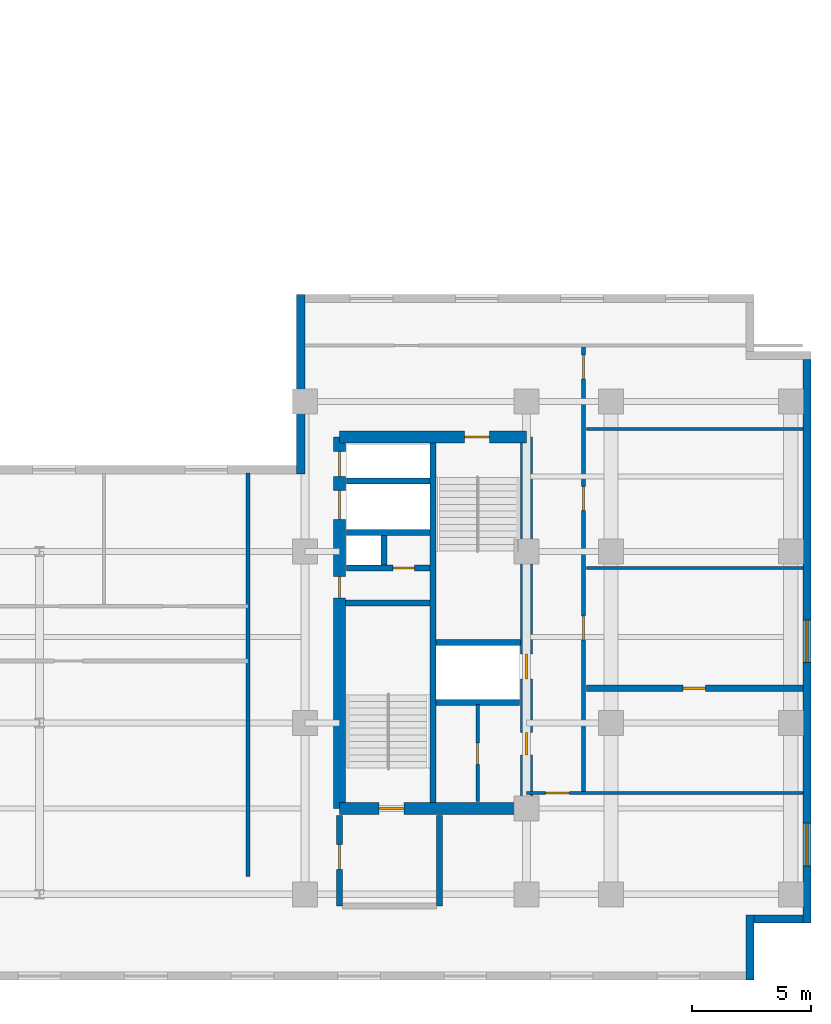
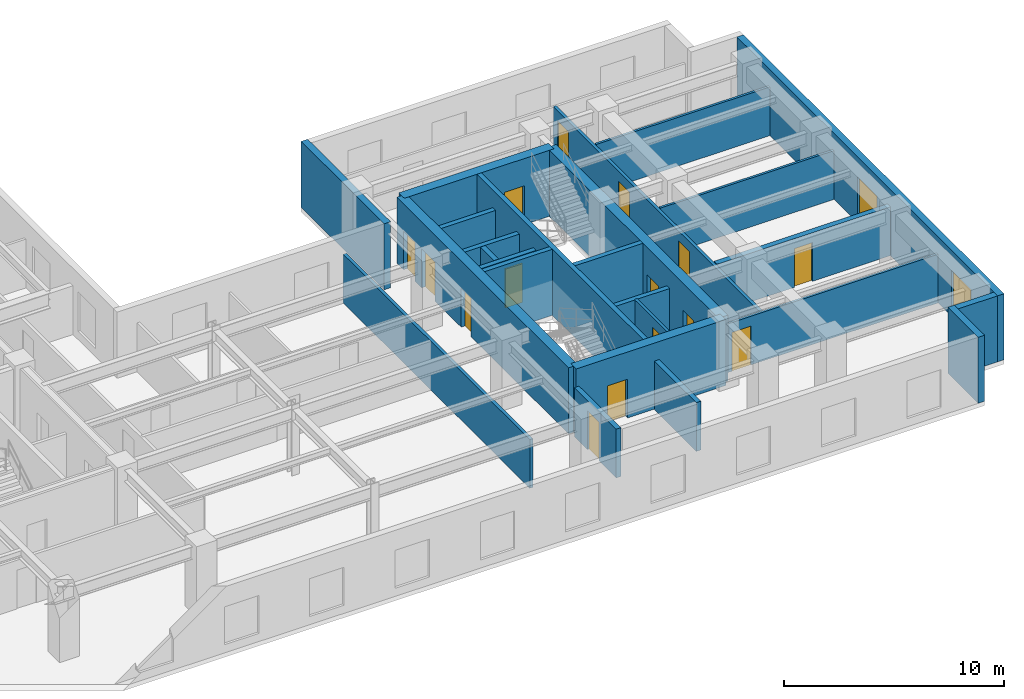
# One storey, part 5 of 10: 25 walls, 15 doors, 2 windows, 17 openings.
"""IFC4 building model written with IfcOpenShell, lengths in metres."""

from ifc_helpers import new_model, entity, si_unit, converted_unit, direction, frame, origin_with_axes, origin_2d_with_axis, place, context, subcontext, project, spatial, polyline, rectangle, outline, extrude, material, layer, layer_set, type_object, element, fill, save


model = new_model("IFC4")

# Units and contexts
model_context = context("Model", 3, precision=1e-05, world=origin_with_axes(), true_north=direction((0.0, 1.0)))
body_context = subcontext(model_context, "Body", "Model", "MODEL_VIEW")
ifc_project = project(units=[si_unit("LENGTHUNIT", "METRE"), si_unit("AREAUNIT", "SQUARE_METRE"), si_unit("VOLUMEUNIT", "CUBIC_METRE"), converted_unit("PLANEANGLEUNIT", "DEGREE", entity("IfcPlaneAngleMeasure", 0.017453292519943295), si_unit("PLANEANGLEUNIT", "RADIAN"), dimensions=[0, 0, 0, 0, 0, 0, 0]), si_unit("MASSUNIT", "GRAM", prefix="KILO"), si_unit("THERMODYNAMICTEMPERATUREUNIT", "KELVIN")], contexts=[model_context])

# Site, building, storey
site_placement = place(None, origin_with_axes())
site = spatial("IfcSite", under=ifc_project, at=site_placement, CompositionType="ELEMENT")
building_placement = place(site_placement, origin_with_axes())
building = spatial("IfcBuilding", under=site, at=building_placement, Name="Varnlund Millrace Tower", CompositionType="ELEMENT")
storey_placement = place(building_placement, frame((0.0, 0.0, 171.9), z_axis=(0.0, 0.0, 1.0), x_axis=(1.0, 0.0, 0.0)))
storey = spatial("IfcBuildingStorey", under=building, at=storey_placement, Name="L42", CompositionType="ELEMENT", Elevation=171.9)

# Wall, openings, doors
ifc_material_1 = material(Name="Concrete C70/85", Category="concrete")
ifc_layer_1 = layer(ifc_material_1, 0.5, Name="Concrete C70/85")
ifc_layer_set_1 = layer_set([ifc_layer_1], Name="Concrete C70/85")
wall_type_1 = type_object("IfcWallType", Name="Type-CoreWall-Shear-500-C70", PredefinedType="SHEAR", material=ifc_layer_set_1)
wall_1_placement = place(storey_placement, frame((40.2, 7.2, 0.0), z_axis=(0.0, 0.0, 1.0), x_axis=(0.0, 1.0, 0.0)))
wall_1 = element("IfcWall", 1, at=wall_1_placement, inside=storey, type_object=wall_type_1, Name="Type-CoreWall-Shear-500-C70", PredefinedType="SHEAR", context=body_context, shape_type="SweptSolid", body=[
    extrude(outline(polyline([(0.0, -0.25), (15.6, -0.25), (15.6, 0.25), (0.0, 0.25), (0.0, -0.25)])), origin_with_axes(), (0.0, 0.0, 1.0), 3.66),
])
opening_1_placement = place(wall_1_placement, frame((14.475, 0.0, 0.0), z_axis=(0.0, 0.0, 1.0), x_axis=(1.0, 0.0, 0.0)))
opening_1 = element("IfcOpeningElement", 2, at=opening_1_placement, cuts=wall_1, Name="Opening L42:LD-ELV-M4", PredefinedType="OPENING", context=body_context, shape_type="SweptSolid", body=[
    extrude(rectangle(XDim=1.05, YDim=0.52, at=origin_2d_with_axis()), origin_with_axes(), (0.0, 0.0, 1.0), 2.15),
])
opening_2_placement = place(wall_1_placement, frame((12.75, 0.0, 0.0), z_axis=(0.0, 0.0, 1.0), x_axis=(1.0, 0.0, 0.0)))
opening_2 = element("IfcOpeningElement", 3, at=opening_2_placement, cuts=wall_1, Name="Opening L42:LD-SRV2", PredefinedType="OPENING", context=body_context, shape_type="SweptSolid", body=[
    extrude(rectangle(XDim=1.2, YDim=0.52, at=origin_2d_with_axis()), origin_with_axes(), (0.0, 0.0, 1.0), 2.15),
])
opening_3_placement = place(wall_1_placement, frame((9.3, 0.0, 0.0), z_axis=(0.0, 0.0, 1.0), x_axis=(1.0, 0.0, 0.0)))
opening_3 = element("IfcOpeningElement", 4, at=opening_3_placement, cuts=wall_1, Name="Opening L42:DR-CB-JAN", PredefinedType="OPENING", context=body_context, shape_type="SweptSolid", body=[
    extrude(rectangle(XDim=0.9, YDim=0.52, at=origin_2d_with_axis()), origin_with_axes(), (0.0, 0.0, 1.0), 2.15),
])
ifc_material_2 = material(Name="Fire-rated hollow steel service closet door", Category="steel")
door_type_1 = type_object("IfcDoorType", Name="Type-FireDoor-Closet-900X2150", OperationType="NOTDEFINED", PredefinedType="DOOR", material=ifc_material_2)
door_1_placement = place(wall_1_placement, frame((9.3, 0.0, 0.0), z_axis=(0.0, 0.0, 1.0), x_axis=(1.0, 0.0, 0.0)))
door_1 = element("IfcDoor", 5, at=door_1_placement, inside=storey, type_object=door_type_1, Name="Type-FireDoor-Closet-900X2150", OperationType="SINGLE_SWING_RIGHT", OverallHeight=2.15, OverallWidth=0.9, PredefinedType="DOOR", context=body_context, shape_type="SweptSolid", body=[
    extrude(rectangle(XDim=0.9, YDim=0.09, at=origin_2d_with_axis()), origin_with_axes(), (0.0, 0.0, 1.0), 2.15),
])
fill(opening_3, door_1)
ifc_material_3 = material(Name="Architectural bronze sliding landing door")
door_type_2 = type_object("IfcDoorType", Name="Type-LiftLandingDoor-Compact-1050X2150", OperationType="NOTDEFINED", PredefinedType="DOOR", material=ifc_material_3)
door_2_placement = place(wall_1_placement, frame((14.475, 0.0, 0.0), z_axis=(0.0, 0.0, 1.0), x_axis=(1.0, 0.0, 0.0)))
door_2 = element("IfcDoor", 6, at=door_2_placement, inside=storey, type_object=door_type_2, Name="Type-LiftLandingDoor-Compact-1050X2150", OperationType="SLIDING_TO_RIGHT", OverallHeight=2.15, OverallWidth=1.05, PredefinedType="DOOR", context=body_context, shape_type="SweptSolid", body=[
    extrude(rectangle(XDim=1.05, YDim=0.09, at=origin_2d_with_axis()), origin_with_axes(), (0.0, 0.0, 1.0), 2.15),
])
fill(opening_1, door_2)
ifc_material_4 = material(Name="Heavy-duty freight sliding landing door")
door_type_3 = type_object("IfcDoorType", Name="Type-LiftLandingDoor-Service-1200X2150", OperationType="NOTDEFINED", PredefinedType="DOOR", material=ifc_material_4)
door_3_placement = place(wall_1_placement, frame((12.75, 0.0, 0.0), z_axis=(0.0, 0.0, 1.0), x_axis=(1.0, 0.0, 0.0)))
door_3 = element("IfcDoor", 7, at=door_3_placement, inside=storey, type_object=door_type_3, Name="Type-LiftLandingDoor-Service-1200X2150", OperationType="DOUBLE_DOOR_SLIDING", OverallHeight=2.15, OverallWidth=1.2, PredefinedType="DOOR", context=body_context, shape_type="SweptSolid", body=[
    extrude(rectangle(XDim=1.2, YDim=0.09, at=origin_2d_with_axis()), origin_with_axes(), (0.0, 0.0, 1.0), 2.15),
])
fill(opening_2, door_3)

# Wall, opening, door
wall_2_placement = place(storey_placement, frame((40.2, 7.2, 0.0), z_axis=(0.0, 0.0, 1.0), x_axis=(1.0, 0.0, 0.0)))
wall_2 = element("IfcWall", 8, at=wall_2_placement, inside=storey, type_object=wall_type_1, Name="Type-CoreWall-Shear-500-C70", PredefinedType="SHEAR", context=body_context, shape_type="SweptSolid", body=[
    extrude(outline(polyline([(0.0, -0.25), (7.85, -0.25), (7.85, 0.25), (0.0, 0.25), (0.0, -0.25)])), origin_with_axes(), (0.0, 0.0, 1.0), 3.66),
])
opening_4_placement = place(wall_2_placement, frame((2.175, 0.0, 0.0), z_axis=(0.0, 0.0, 1.0), x_axis=(1.0, 0.0, 0.0)))
opening_4 = element("IfcOpeningElement", 9, at=opening_4_placement, cuts=wall_2, Name="Opening L42:DR-STB1", PredefinedType="OPENING", context=body_context, shape_type="SweptSolid", body=[
    extrude(rectangle(XDim=1.05, YDim=0.52, at=origin_2d_with_axis()), origin_with_axes(), (0.0, 0.0, 1.0), 2.15),
])
ifc_material_5 = material(Name="Fire-rated hollow steel door", Category="steel")
door_type_4 = type_object("IfcDoorType", Name="Type-FireDoor-Stair-1050X2150", OperationType="NOTDEFINED", PredefinedType="DOOR", material=ifc_material_5)
door_4_placement = place(wall_2_placement, frame((2.175, 0.0, 0.0), z_axis=(0.0, 0.0, 1.0), x_axis=(1.0, 0.0, 0.0)))
door_4 = element("IfcDoor", 10, at=door_4_placement, inside=storey, type_object=door_type_4, Name="Type-FireDoor-Stair-1050X2150", OperationType="SINGLE_SWING_LEFT", OverallHeight=2.15, OverallWidth=1.05, PredefinedType="DOOR", context=body_context, shape_type="SweptSolid", body=[
    extrude(rectangle(XDim=1.05, YDim=0.09, at=origin_2d_with_axis()), origin_with_axes(), (0.0, 0.0, 1.0), 2.15),
])
fill(opening_4, door_4)

wall_3_placement = place(storey_placement, frame((40.2, 22.8, 0.0), z_axis=(0.0, 0.0, 1.0), x_axis=(1.0, 0.0, 0.0)))
wall_3 = element("IfcWall", 11, at=wall_3_placement, inside=storey, type_object=wall_type_1, Name="Type-CoreWall-Shear-500-C70", PredefinedType="SHEAR", context=body_context, shape_type="SweptSolid", body=[
    extrude(outline(polyline([(0.0, -0.25), (7.85, -0.25), (7.85, 0.25), (0.0, 0.25), (0.0, -0.25)])), origin_with_axes(), (0.0, 0.0, 1.0), 3.66),
])
opening_5_placement = place(wall_3_placement, frame((5.775, 0.0, 0.0), z_axis=(0.0, 0.0, 1.0), x_axis=(1.0, 0.0, 0.0)))
opening_5 = element("IfcOpeningElement", 12, at=opening_5_placement, cuts=wall_3, Name="Opening L42:DR-STB2", PredefinedType="OPENING", context=body_context, shape_type="SweptSolid", body=[
    extrude(rectangle(XDim=1.05, YDim=0.52, at=origin_2d_with_axis()), origin_with_axes(), (0.0, 0.0, 1.0), 2.15),
])
door_5_placement = place(wall_3_placement, frame((5.775, 0.0, 0.0), z_axis=(0.0, 0.0, 1.0), x_axis=(1.0, 0.0, 0.0)))
door_5 = element("IfcDoor", 13, at=door_5_placement, inside=storey, type_object=door_type_4, Name="Type-FireDoor-Stair-1050X2150", OperationType="SINGLE_SWING_RIGHT", OverallHeight=2.15, OverallWidth=1.05, PredefinedType="DOOR", context=body_context, shape_type="SweptSolid", body=[
    extrude(rectangle(XDim=1.05, YDim=0.09, at=origin_2d_with_axis()), origin_with_axes(), (0.0, 0.0, 1.0), 2.15),
])
fill(opening_5, door_5)

# Wall, openings, doors
wall_4_placement = place(storey_placement, frame((48.05, 7.2, 0.0), z_axis=(0.0, 0.0, 1.0), x_axis=(0.0, 1.0, 0.0)))
wall_4 = element("IfcWall", 14, at=wall_4_placement, inside=storey, type_object=wall_type_1, Name="Type-CoreWall-Shear-500-C70", PredefinedType="SHEAR", context=body_context, shape_type="SweptSolid", body=[
    extrude(outline(polyline([(0.0, -0.25), (15.6, -0.25), (15.6, 0.25), (0.0, 0.25), (0.0, -0.25)])), origin_with_axes(), (0.0, 0.0, 1.0), 3.66),
])
opening_6_placement = place(wall_4_placement, frame((5.975, 0.0, 0.0), z_axis=(0.0, 0.0, 1.0), x_axis=(1.0, 0.0, 0.0)))
opening_6 = element("IfcOpeningElement", 15, at=opening_6_placement, cuts=wall_4, Name="Opening L42:LD-ELV-M3", PredefinedType="OPENING", context=body_context, shape_type="SweptSolid", body=[
    extrude(rectangle(XDim=1.05, YDim=0.52, at=origin_2d_with_axis()), origin_with_axes(), (0.0, 0.0, 1.0), 2.15),
])
opening_7_placement = place(wall_4_placement, frame((2.725, 0.0, 0.0), z_axis=(0.0, 0.0, 1.0), x_axis=(1.0, 0.0, 0.0)))
opening_7 = element("IfcOpeningElement", 16, at=opening_7_placement, cuts=wall_4, Name="Opening L42:DR-CB-WC2", PredefinedType="OPENING", context=body_context, shape_type="SweptSolid", body=[
    extrude(rectangle(XDim=0.95, YDim=0.52, at=origin_2d_with_axis()), origin_with_axes(), (0.0, 0.0, 1.0), 2.15),
])
ifc_material_6 = material(Name="Fire-rated hollow steel core service door", Category="steel")
door_type_5 = type_object("IfcDoorType", Name="Type-FireDoor-Service-950X2150", OperationType="NOTDEFINED", PredefinedType="DOOR", material=ifc_material_6)
door_6_placement = place(wall_4_placement, frame((2.725, 0.0, 0.0), z_axis=(0.0, 0.0, 1.0), x_axis=(1.0, 0.0, 0.0)))
door_6 = element("IfcDoor", 17, at=door_6_placement, inside=storey, type_object=door_type_5, Name="Type-FireDoor-Service-950X2150", OperationType="SINGLE_SWING_LEFT", OverallHeight=2.15, OverallWidth=0.95, PredefinedType="DOOR", context=body_context, shape_type="SweptSolid", body=[
    extrude(rectangle(XDim=0.95, YDim=0.09, at=origin_2d_with_axis()), origin_with_axes(), (0.0, 0.0, 1.0), 2.15),
])
fill(opening_7, door_6)
door_7_placement = place(wall_4_placement, frame((5.975, 0.0, 0.0), z_axis=(0.0, 0.0, 1.0), x_axis=(1.0, 0.0, 0.0)))
door_7 = element("IfcDoor", 18, at=door_7_placement, inside=storey, type_object=door_type_2, Name="Type-LiftLandingDoor-Compact-1050X2150", OperationType="SLIDING_TO_LEFT", OverallHeight=2.15, OverallWidth=1.05, PredefinedType="DOOR", context=body_context, shape_type="SweptSolid", body=[
    extrude(rectangle(XDim=1.05, YDim=0.09, at=origin_2d_with_axis()), origin_with_axes(), (0.0, 0.0, 1.0), 2.15),
])
fill(opening_6, door_7)

# Wall
ifc_material_7 = material(Name="Precast concrete C50/60", Category="concrete")
ifc_layer_2 = layer(ifc_material_7, 0.34, Name="Precast concrete C50/60")
ifc_layer_set_2 = layer_set([ifc_layer_2], Name="Precast concrete C50/60")
wall_type_2 = type_object("IfcWallType", Name="Type-ExtWall-Precast-Upper-340", PredefinedType="SOLIDWALL", material=ifc_layer_set_2)
wall_5_placement = place(storey_placement, frame((38.57, 21.26, 0.0), z_axis=(0.0, 0.0, 1.0), x_axis=(0.0, 1.0, 0.0)))
element("IfcWall", 19, at=wall_5_placement, inside=storey, type_object=wall_type_2, Name="Type-ExtWall-Precast-Upper-340", PredefinedType="SOLIDWALL", context=body_context, shape_type="SweptSolid", body=[
    extrude(outline(polyline([(0.0, -0.17), (7.54, -0.17), (7.54, 0.17), (0.0, 0.17), (0.0, -0.17)])), origin_with_axes(), (0.0, 0.0, 1.0), 3.66),
])

# Wall, openings, windows
wall_6_placement = place(storey_placement, frame((59.83, 26.06, 0.0), z_axis=(0.0, 0.0, 1.0), x_axis=(0.0, -1.0, 0.0)))
wall_6 = element("IfcWall", 20, at=wall_6_placement, inside=storey, type_object=wall_type_2, Name="Type-ExtWall-Precast-Upper-340", PredefinedType="SOLIDWALL", context=body_context, shape_type="SweptSolid", body=[
    extrude(outline(polyline([(0.0, -0.17), (23.66, -0.17), (23.66, 0.17), (0.0, 0.17), (0.0, -0.17)])), origin_with_axes(), (0.0, 0.0, 1.0), 3.66),
])
opening_8_placement = place(wall_6_placement, frame((11.83, 0.0, 0.45), z_axis=(0.0, 0.0, 1.0), x_axis=(1.0, 0.0, 0.0)))
opening_8 = element("IfcOpeningElement", 21, at=opening_8_placement, cuts=wall_6, Name="Opening L42:WN-05", PredefinedType="OPENING", context=body_context, shape_type="SweptSolid", body=[
    extrude(rectangle(XDim=1.8, YDim=0.36, at=origin_2d_with_axis()), origin_with_axes(), (0.0, 0.0, 1.0), 2.1),
])
opening_9_placement = place(wall_6_placement, frame((20.364, 0.0, 0.45), z_axis=(0.0, 0.0, 1.0), x_axis=(1.0, 0.0, 0.0)))
opening_9 = element("IfcOpeningElement", 22, at=opening_9_placement, cuts=wall_6, Name="Opening L42:WN-06", PredefinedType="OPENING", context=body_context, shape_type="SweptSolid", body=[
    extrude(rectangle(XDim=1.8, YDim=0.36, at=origin_2d_with_axis()), origin_with_axes(), (0.0, 0.0, 1.0), 2.1),
])
ifc_material_8 = material(Name="Argon low-e triple glazing in thermally broken bronze frame", Category="glass")
window_type = type_object("IfcWindowType", Name="Type-Window-Punched-1800X2100", PartitioningType="SINGLE_PANEL", PredefinedType="WINDOW", material=ifc_material_8)
window_1_placement = place(wall_6_placement, frame((11.83, 0.0, 0.45), z_axis=(0.0, 0.0, 1.0), x_axis=(1.0, 0.0, 0.0)))
window_1 = element("IfcWindow", 23, at=window_1_placement, inside=storey, type_object=window_type, Name="Type-Window-Punched-1800X2100", OverallHeight=2.1, OverallWidth=1.8, PredefinedType="WINDOW", context=body_context, shape_type="SweptSolid", body=[
    extrude(rectangle(XDim=1.8, YDim=0.09, at=origin_2d_with_axis()), origin_with_axes(), (0.0, 0.0, 1.0), 2.1),
])
fill(opening_8, window_1)
window_2_placement = place(wall_6_placement, frame((20.364, 0.0, 0.45), z_axis=(0.0, 0.0, 1.0), x_axis=(1.0, 0.0, 0.0)))
window_2 = element("IfcWindow", 24, at=window_2_placement, inside=storey, type_object=window_type, Name="Type-Window-Punched-1800X2100", OverallHeight=2.1, OverallWidth=1.8, PredefinedType="WINDOW", context=body_context, shape_type="SweptSolid", body=[
    extrude(rectangle(XDim=1.8, YDim=0.09, at=origin_2d_with_axis()), origin_with_axes(), (0.0, 0.0, 1.0), 2.1),
])
fill(opening_9, window_2)

# Walls
wall_7_placement = place(storey_placement, frame((59.66, 2.57, 0.0), z_axis=(0.0, 0.0, 1.0), x_axis=(-1.0, 0.0, 0.0)))
element("IfcWall", 25, at=wall_7_placement, inside=storey, type_object=wall_type_2, Name="Type-ExtWall-Precast-Upper-340", PredefinedType="SOLIDWALL", context=body_context, shape_type="SweptSolid", body=[
    extrude(outline(polyline([(0.0, -0.17), (2.06, -0.17), (2.06, 0.17), (0.0, 0.17), (0.0, -0.17)])), origin_with_axes(), (0.0, 0.0, 1.0), 3.66),
])
wall_8_placement = place(storey_placement, frame((57.43, 2.74, 0.0), z_axis=(0.0, 0.0, 1.0), x_axis=(0.0, -1.0, 0.0)))
element("IfcWall", 26, at=wall_8_placement, inside=storey, type_object=wall_type_2, Name="Type-ExtWall-Precast-Upper-340", PredefinedType="SOLIDWALL", context=body_context, shape_type="SweptSolid", body=[
    extrude(outline(polyline([(0.0, -0.17), (2.74, -0.17), (2.74, 0.17), (0.0, 0.17), (0.0, -0.17)])), origin_with_axes(), (0.0, 0.0, 1.0), 3.66),
])

# Wall, opening, door
ifc_material_9 = material(Name="Double-stud STC-60 conference acoustic partition", Category="gypsum")
ifc_layer_3 = layer(ifc_material_9, 0.28, Name="Double-stud STC-60 conference acoustic partition")
ifc_layer_set_3 = layer_set([ifc_layer_3], Name="Double-stud STC-60 conference acoustic partition")
wall_type_3 = type_object("IfcWallType", Name="Type-Partition-Acoustic-280", PredefinedType="PARTITIONING", material=ifc_layer_set_3)
wall_9_placement = place(storey_placement, frame((50.57, 12.256, 0.0), z_axis=(0.0, 0.0, 1.0), x_axis=(1.0, 0.0, 0.0)))
wall_9 = element("IfcWall", 27, at=wall_9_placement, inside=storey, type_object=wall_type_3, Name="Type-Partition-Acoustic-280", PredefinedType="PARTITIONING", context=body_context, shape_type="SweptSolid", body=[
    extrude(outline(polyline([(0.0, -0.14), (9.095, -0.14), (9.095, 0.14), (0.0, 0.14), (0.0, -0.14)])), origin_with_axes(), (0.0, 0.0, 1.0), 2.7),
])
opening_10_placement = place(wall_9_placement, frame((4.525, 0.0, 0.0), z_axis=(0.0, 0.0, 1.0), x_axis=(1.0, 0.0, 0.0)))
opening_10 = element("IfcOpeningElement", 28, at=opening_10_placement, cuts=wall_9, Name="Opening L42:DR-WB-01", PredefinedType="OPENING", context=body_context, shape_type="SweptSolid", body=[
    extrude(rectangle(XDim=0.95, YDim=0.3, at=origin_2d_with_axis()), origin_with_axes(), (0.0, 0.0, 1.0), 2.15),
])
ifc_material_10 = material(Name="Solid-core acoustic office door")
door_type_6 = type_object("IfcDoorType", Name="Type-IntDoor-Tenant-950X2150", OperationType="NOTDEFINED", PredefinedType="DOOR", material=ifc_material_10)
door_8_placement = place(wall_9_placement, frame((4.525, 0.0, 0.0), z_axis=(0.0, 0.0, 1.0), x_axis=(1.0, 0.0, 0.0)))
door_8 = element("IfcDoor", 29, at=door_8_placement, inside=storey, type_object=door_type_6, Name="Type-IntDoor-Tenant-950X2150", OperationType="SINGLE_SWING_LEFT", OverallHeight=2.15, OverallWidth=0.95, PredefinedType="DOOR", context=body_context, shape_type="SweptSolid", body=[
    extrude(rectangle(XDim=0.95, YDim=0.09, at=origin_2d_with_axis()), origin_with_axes(), (0.0, 0.0, 1.0), 2.15),
])
fill(opening_10, door_8)

# Wall
ifc_material_11 = material(Name="Fire-rated gypsum board on cold-formed steel framing", Category="steel")
ifc_layer_4 = layer(ifc_material_11, 0.16, Name="Fire-rated gypsum board on cold-formed steel framing")
ifc_layer_set_4 = layer_set([ifc_layer_4], Name="Fire-rated gypsum board on cold-formed steel framing")
wall_type_4 = type_object("IfcWallType", Name="Type-Partition-Corridor-160", PredefinedType="PARTITIONING", material=ifc_layer_set_4)
wall_10_placement = place(storey_placement, frame((36.35, 4.35, 0.0), z_axis=(0.0, 0.0, 1.0), x_axis=(0.0, 1.0, 0.0)))
element("IfcWall", 30, at=wall_10_placement, inside=storey, type_object=wall_type_4, Name="Type-Partition-Corridor-160", PredefinedType="PARTITIONING", context=body_context, shape_type="SweptSolid", body=[
    extrude(outline(polyline([(0.0, -0.08), (16.95, -0.08), (16.95, 0.08), (0.0, 0.08), (0.0, -0.08)])), origin_with_axes(), (0.0, 0.0, 1.0), 2.7),
])

# Wall, openings, doors
wall_11_placement = place(storey_placement, frame((50.45, 7.85, 0.0), z_axis=(0.0, 0.0, 1.0), x_axis=(0.0, 1.0, 0.0)))
wall_11 = element("IfcWall", 31, at=wall_11_placement, inside=storey, type_object=wall_type_4, Name="Type-Partition-Corridor-160", PredefinedType="PARTITIONING", context=body_context, shape_type="SweptSolid", body=[
    extrude(outline(polyline([(0.0, -0.08), (18.8, -0.08), (18.8, 0.08), (0.0, 0.08), (0.0, -0.08)])), origin_with_axes(), (0.0, 0.0, 1.0), 2.7),
])
opening_11_placement = place(wall_11_placement, frame((6.934, 0.0, 0.0), z_axis=(0.0, 0.0, 1.0), x_axis=(1.0, 0.0, 0.0)))
opening_11 = element("IfcOpeningElement", 32, at=opening_11_placement, cuts=wall_11, Name="Opening L42:DR-WB-02", PredefinedType="OPENING", context=body_context, shape_type="SweptSolid", body=[
    extrude(rectangle(XDim=1.0, YDim=0.18, at=origin_2d_with_axis()), origin_with_axes(), (0.0, 0.0, 1.0), 2.15),
])
opening_12_placement = place(wall_11_placement, frame((12.3735, 0.0, 0.0), z_axis=(0.0, 0.0, 1.0), x_axis=(1.0, 0.0, 0.0)))
opening_12 = element("IfcOpeningElement", 33, at=opening_12_placement, cuts=wall_11, Name="Opening L42:DR-WB-03", PredefinedType="OPENING", context=body_context, shape_type="SweptSolid", body=[
    extrude(rectangle(XDim=1.0, YDim=0.18, at=origin_2d_with_axis()), origin_with_axes(), (0.0, 0.0, 1.0), 2.15),
])
opening_13_placement = place(wall_11_placement, frame((17.893, 0.0, 0.0), z_axis=(0.0, 0.0, 1.0), x_axis=(1.0, 0.0, 0.0)))
opening_13 = element("IfcOpeningElement", 34, at=opening_13_placement, cuts=wall_11, Name="Opening L42:DR-WB-04", PredefinedType="OPENING", context=body_context, shape_type="SweptSolid", body=[
    extrude(rectangle(XDim=1.0, YDim=0.18, at=origin_2d_with_axis()), origin_with_axes(), (0.0, 0.0, 1.0), 2.15),
])
ifc_material_12 = material(Name="Solid-core white oak and bronze frame door")
door_type_7 = type_object("IfcDoorType", Name="Type-IntDoor-Office-1000X2150", OperationType="NOTDEFINED", PredefinedType="DOOR", material=ifc_material_12)
door_9_placement = place(wall_11_placement, frame((6.934, 0.0, 0.0), z_axis=(0.0, 0.0, 1.0), x_axis=(1.0, 0.0, 0.0)))
door_9 = element("IfcDoor", 35, at=door_9_placement, inside=storey, type_object=door_type_7, Name="Type-IntDoor-Office-1000X2150", OperationType="SINGLE_SWING_RIGHT", OverallHeight=2.15, OverallWidth=1.0, PredefinedType="DOOR", context=body_context, shape_type="SweptSolid", body=[
    extrude(rectangle(XDim=1.0, YDim=0.09, at=origin_2d_with_axis()), origin_with_axes(), (0.0, 0.0, 1.0), 2.15),
])
fill(opening_11, door_9)
door_10_placement = place(wall_11_placement, frame((12.3735, 0.0, 0.0), z_axis=(0.0, 0.0, 1.0), x_axis=(1.0, 0.0, 0.0)))
door_10 = element("IfcDoor", 36, at=door_10_placement, inside=storey, type_object=door_type_7, Name="Type-IntDoor-Office-1000X2150", OperationType="SINGLE_SWING_LEFT", OverallHeight=2.15, OverallWidth=1.0, PredefinedType="DOOR", context=body_context, shape_type="SweptSolid", body=[
    extrude(rectangle(XDim=1.0, YDim=0.09, at=origin_2d_with_axis()), origin_with_axes(), (0.0, 0.0, 1.0), 2.15),
])
fill(opening_12, door_10)
door_11_placement = place(wall_11_placement, frame((17.893, 0.0, 0.0), z_axis=(0.0, 0.0, 1.0), x_axis=(1.0, 0.0, 0.0)))
door_11 = element("IfcDoor", 37, at=door_11_placement, inside=storey, type_object=door_type_7, Name="Type-IntDoor-Office-1000X2150", OperationType="SINGLE_SWING_RIGHT", OverallHeight=2.15, OverallWidth=1.0, PredefinedType="DOOR", context=body_context, shape_type="SweptSolid", body=[
    extrude(rectangle(XDim=1.0, YDim=0.09, at=origin_2d_with_axis()), origin_with_axes(), (0.0, 0.0, 1.0), 2.15),
])
fill(opening_13, door_11)

# Wall, opening, door
ifc_material_13 = material(Name="Gypsum board tenant partition", Category="gypsum")
ifc_layer_5 = layer(ifc_material_13, 0.125, Name="Gypsum board tenant partition")
ifc_layer_set_5 = layer_set([ifc_layer_5], Name="Gypsum board tenant partition")
wall_type_5 = type_object("IfcWallType", Name="Type-Partition-Tenant-125", PredefinedType="PARTITIONING", material=ifc_layer_set_5)
wall_12_placement = place(storey_placement, frame((59.665, 7.85, 0.0), z_axis=(0.0, 0.0, 1.0), x_axis=(-1.0, 0.0, 0.0)))
wall_12 = element("IfcWall", 38, at=wall_12_placement, inside=storey, type_object=wall_type_5, Name="Type-Partition-Tenant-125", PredefinedType="PARTITIONING", context=body_context, shape_type="SweptSolid", body=[
    extrude(outline(polyline([(0.0, -0.0625), (11.615, -0.0625), (11.615, 0.0625), (0.0, 0.0625), (0.0, -0.0625)])), origin_with_axes(), (0.0, 0.0, 1.0), 2.7),
])
opening_14_placement = place(wall_12_placement, frame((10.315, 0.0, 0.0), z_axis=(0.0, 0.0, 1.0), x_axis=(1.0, 0.0, 0.0)))
opening_14 = element("IfcOpeningElement", 39, at=opening_14_placement, cuts=wall_12, Name="Opening L42:DR-WBS-01", PredefinedType="OPENING", context=body_context, shape_type="SweptSolid", body=[
    extrude(rectangle(XDim=1.0, YDim=0.145, at=origin_2d_with_axis()), origin_with_axes(), (0.0, 0.0, 1.0), 2.15),
])
door_12_placement = place(wall_12_placement, frame((10.315, 0.0, 0.0), z_axis=(0.0, 0.0, 1.0), x_axis=(1.0, 0.0, 0.0)))
door_12 = element("IfcDoor", 40, at=door_12_placement, inside=storey, type_object=door_type_7, Name="Type-IntDoor-Office-1000X2150", OperationType="SINGLE_SWING_LEFT", OverallHeight=2.15, OverallWidth=1.0, PredefinedType="DOOR", context=body_context, shape_type="SweptSolid", body=[
    extrude(rectangle(XDim=1.0, YDim=0.075, at=origin_2d_with_axis()), origin_with_axes(), (0.0, 0.0, 1.0), 2.15),
])
fill(opening_14, door_12)

# Walls
for number, where, z_axis, x_axis, name in (
    (41, (50.57, 17.312, 0.0), (0.0, 0.0, 1.0), (1.0, 0.0, 0.0), "Type-Partition-Tenant-125"),
    (42, (50.57, 23.135, 0.0), (0.0, 0.0, 1.0), (1.0, 0.0, 0.0), "Type-Partition-Tenant-125"),
):
    element("IfcWall", number, at=place(storey_placement, frame(where, z_axis=z_axis, x_axis=x_axis)), inside=storey, type_object=wall_type_5, Name=name, PredefinedType="PARTITIONING", context=body_context, shape_type="SweptSolid", body=[
        extrude(outline(polyline([(0.0, -0.0625), (9.095, -0.0625), (9.095, 0.0625), (0.0, 0.0625), (0.0, -0.0625)])), origin_with_axes(), (0.0, 0.0, 1.0), 2.7),
    ])

# Wall, opening, door
ifc_material_14 = material(Name="Moisture-resistant gypsum restroom partition", Category="gypsum")
ifc_layer_6 = layer(ifc_material_14, 0.14, Name="Moisture-resistant gypsum restroom partition")
ifc_layer_set_6 = layer_set([ifc_layer_6], Name="Moisture-resistant gypsum restroom partition")
wall_type_6 = type_object("IfcWallType", Name="Type-Partition-Wet-140", PredefinedType="PARTITIONING", material=ifc_layer_set_6)
wall_13_placement = place(storey_placement, frame((46.0, 7.5, 0.0), z_axis=(0.0, 0.0, 1.0), x_axis=(0.0, 1.0, 0.0)))
wall_13 = element("IfcWall", 43, at=wall_13_placement, inside=storey, type_object=wall_type_6, Name="Type-Partition-Wet-140", PredefinedType="PARTITIONING", context=body_context, shape_type="SweptSolid", body=[
    extrude(outline(polyline([(0.0, -0.07), (4.08, -0.07), (4.08, 0.07), (0.0, 0.07), (0.0, -0.07)])), origin_with_axes(), (0.0, 0.0, 1.0), 2.7),
])
opening_15_placement = place(wall_13_placement, frame((2.0, 0.0, 0.0), z_axis=(0.0, 0.0, 1.0), x_axis=(1.0, 0.0, 0.0)))
opening_15 = element("IfcOpeningElement", 44, at=opening_15_placement, cuts=wall_13, Name="Opening L42:DR-CB-WC1", PredefinedType="OPENING", context=body_context, shape_type="SweptSolid", body=[
    extrude(rectangle(XDim=0.9, YDim=0.16, at=origin_2d_with_axis()), origin_with_axes(), (0.0, 0.0, 1.0), 2.15),
])
ifc_material_15 = material(Name="Painted steel riser and closet door", Category="steel")
door_type_8 = type_object("IfcDoorType", Name="Type-IntDoor-Closet-900X2150", OperationType="NOTDEFINED", PredefinedType="DOOR", material=ifc_material_15)
door_13_placement = place(wall_13_placement, frame((2.0, 0.0, 0.0), z_axis=(0.0, 0.0, 1.0), x_axis=(1.0, 0.0, 0.0)))
door_13 = element("IfcDoor", 45, at=door_13_placement, inside=storey, type_object=door_type_8, Name="Type-IntDoor-Closet-900X2150", OperationType="SINGLE_SWING_LEFT", OverallHeight=2.15, OverallWidth=0.9, PredefinedType="DOOR", context=body_context, shape_type="SweptSolid", body=[
    extrude(rectangle(XDim=0.9, YDim=0.084, at=origin_2d_with_axis()), origin_with_axes(), (0.0, 0.0, 1.0), 2.15),
])
fill(opening_15, door_13)

ifc_material_16 = material(Name="Concrete C60/75", Category="concrete")
ifc_layer_7 = layer(ifc_material_16, 0.25, Name="Concrete C60/75")
ifc_layer_set_7 = layer_set([ifc_layer_7], Name="Concrete C60/75")
wall_type_7 = type_object("IfcWallType", Name="Type-ShaftWall-Fire-250", PredefinedType="SOLIDWALL", material=ifc_layer_set_7)
wall_14_placement = place(storey_placement, frame((40.5, 17.3, 0.0), z_axis=(0.0, 0.0, 1.0), x_axis=(1.0, 0.0, 0.0)))
wall_14 = element("IfcWall", 46, at=wall_14_placement, inside=storey, type_object=wall_type_7, Name="Type-ShaftWall-Fire-250", PredefinedType="SOLIDWALL", context=body_context, shape_type="SweptSolid", body=[
    extrude(outline(polyline([(0.0, -0.125), (3.5, -0.125), (3.5, 0.125), (0.0, 0.125), (0.0, -0.125)])), origin_with_axes(), (0.0, 0.0, 1.0), 2.7),
])
opening_16_placement = place(wall_14_placement, frame((2.4, 0.0, 0.0), z_axis=(0.0, 0.0, 1.0), x_axis=(1.0, 0.0, 0.0)))
opening_16 = element("IfcOpeningElement", 47, at=opening_16_placement, cuts=wall_14, Name="Opening L42:DR-CB-ELC", PredefinedType="OPENING", context=body_context, shape_type="SweptSolid", body=[
    extrude(rectangle(XDim=0.9, YDim=0.27, at=origin_2d_with_axis()), origin_with_axes(), (0.0, 0.0, 1.0), 2.15),
])
door_14_placement = place(wall_14_placement, frame((2.4, 0.0, 0.0), z_axis=(0.0, 0.0, 1.0), x_axis=(1.0, 0.0, 0.0)))
door_14 = element("IfcDoor", 48, at=door_14_placement, inside=storey, type_object=door_type_1, Name="Type-FireDoor-Closet-900X2150", OperationType="SINGLE_SWING_LEFT", OverallHeight=2.15, OverallWidth=0.9, PredefinedType="DOOR", context=body_context, shape_type="SweptSolid", body=[
    extrude(rectangle(XDim=0.9, YDim=0.09, at=origin_2d_with_axis()), origin_with_axes(), (0.0, 0.0, 1.0), 2.15),
])
fill(opening_16, door_14)

# Walls
wall_15_placement = place(storey_placement, frame((40.5, 18.8, 0.0), z_axis=(0.0, 0.0, 1.0), x_axis=(1.0, 0.0, 0.0)))
element("IfcWall", 49, at=wall_15_placement, inside=storey, type_object=wall_type_7, Name="Type-ShaftWall-Fire-250", PredefinedType="SOLIDWALL", context=body_context, shape_type="SweptSolid", body=[
    extrude(outline(polyline([(0.0, -0.125), (3.5, -0.125), (3.5, 0.125), (0.0, 0.125), (0.0, -0.125)])), origin_with_axes(), (0.0, 0.0, 1.0), 2.7),
])
wall_16_placement = place(storey_placement, frame((42.075, 17.43, 0.0), z_axis=(0.0, 0.0, 1.0), x_axis=(0.0, 1.0, 0.0)))
element("IfcWall", 50, at=wall_16_placement, inside=storey, type_object=wall_type_7, Name="Type-ShaftWall-Fire-250", PredefinedType="SOLIDWALL", context=body_context, shape_type="SweptSolid", body=[
    extrude(outline(polyline([(0.0, -0.125), (1.24, -0.125), (1.24, 0.125), (0.0, 0.125), (0.0, -0.125)])), origin_with_axes(), (0.0, 0.0, 1.0), 2.7),
])

# Wall, opening, door
wall_17_placement = place(storey_placement, frame((40.2, 3.1, 0.0), z_axis=(0.0, 0.0, 1.0), x_axis=(0.0, 1.0, 0.0)))
wall_17 = element("IfcWall", 51, at=wall_17_placement, inside=storey, type_object=wall_type_7, Name="Type-ShaftWall-Fire-250", PredefinedType="SOLIDWALL", context=body_context, shape_type="SweptSolid", body=[
    extrude(outline(polyline([(0.0, -0.125), (3.8, -0.125), (3.8, 0.125), (0.0, 0.125), (0.0, -0.125)])), origin_with_axes(), (0.0, 0.0, 1.0), 2.7),
])
opening_17_placement = place(wall_17_placement, frame((2.075, 0.0, 0.0), z_axis=(0.0, 0.0, 1.0), x_axis=(1.0, 0.0, 0.0)))
opening_17 = element("IfcOpeningElement", 52, at=opening_17_placement, cuts=wall_17, Name="Opening L42:DR-FFLOB-B", PredefinedType="OPENING", context=body_context, shape_type="SweptSolid", body=[
    extrude(rectangle(XDim=1.05, YDim=0.27, at=origin_2d_with_axis()), origin_with_axes(), (0.0, 0.0, 1.0), 2.15),
])
ifc_material_17 = material(Name="Smoke-barrier hollow steel fire door", Category="steel")
door_type_9 = type_object("IfcDoorType", Name="Type-FireDoor-Lobby-1050X2150", OperationType="NOTDEFINED", PredefinedType="DOOR", material=ifc_material_17)
door_15_placement = place(wall_17_placement, frame((2.075, 0.0, 0.0), z_axis=(0.0, 0.0, 1.0), x_axis=(1.0, 0.0, 0.0)))
door_15 = element("IfcDoor", 53, at=door_15_placement, inside=storey, type_object=door_type_9, Name="Type-FireDoor-Lobby-1050X2150", OperationType="SINGLE_SWING_LEFT", OverallHeight=2.15, OverallWidth=1.05, PredefinedType="DOOR", context=body_context, shape_type="SweptSolid", body=[
    extrude(rectangle(XDim=1.05, YDim=0.09, at=origin_2d_with_axis()), origin_with_axes(), (0.0, 0.0, 1.0), 2.15),
])
fill(opening_17, door_15)

# Walls
wall_18_placement = place(storey_placement, frame((44.4, 3.1, 0.0), z_axis=(0.0, 0.0, 1.0), x_axis=(0.0, 1.0, 0.0)))
element("IfcWall", 54, at=wall_18_placement, inside=storey, type_object=wall_type_7, Name="Type-ShaftWall-Fire-250", PredefinedType="SOLIDWALL", context=body_context, shape_type="SweptSolid", body=[
    extrude(outline(polyline([(0.0, -0.125), (3.8, -0.125), (3.8, 0.125), (0.0, 0.125), (0.0, -0.125)])), origin_with_axes(), (0.0, 0.0, 1.0), 2.7),
])
for number, where, z_axis, x_axis, name in (
    (55, (40.5, 20.96, 0.0), (0.0, 0.0, 1.0), (1.0, 0.0, 0.0), "Type-ShaftWall-Fire-250"),
    (56, (44.25, 11.66, 0.0), (0.0, 0.0, 1.0), (1.0, 0.0, 0.0), "Type-ShaftWall-Fire-250"),
):
    element("IfcWall", number, at=place(storey_placement, frame(where, z_axis=z_axis, x_axis=x_axis)), inside=storey, type_object=wall_type_7, Name=name, PredefinedType="SOLIDWALL", context=body_context, shape_type="SweptSolid", body=[
        extrude(outline(polyline([(0.0, -0.125), (3.5, -0.125), (3.5, 0.125), (0.0, 0.125), (0.0, -0.125)])), origin_with_axes(), (0.0, 0.0, 1.0), 2.7),
    ])
wall_type_8 = type_object("IfcWallType", Name="Type-StairWall-Shear-250", PredefinedType="SHEAR", material=ifc_layer_set_7)
wall_19_placement = place(storey_placement, frame((44.125, 7.45, 0.0), z_axis=(0.0, 0.0, 1.0), x_axis=(0.0, 1.0, 0.0)))
element("IfcWall", 57, at=wall_19_placement, inside=storey, type_object=wall_type_8, Name="Type-StairWall-Shear-250", PredefinedType="SHEAR", context=body_context, shape_type="SweptSolid", body=[
    extrude(outline(polyline([(0.0, -0.125), (15.1, -0.125), (15.1, 0.125), (0.0, 0.125), (0.0, -0.125)])), origin_with_axes(), (0.0, 0.0, 1.0), 3.66),
])
for number, where, z_axis, x_axis, name in (
    (58, (40.45, 15.825, 0.0), (0.0, 0.0, 1.0), (1.0, 0.0, 0.0), "Type-StairWall-Shear-250"),
    (59, (44.25, 14.175, 0.0), (0.0, 0.0, 1.0), (1.0, 0.0, 0.0), "Type-StairWall-Shear-250"),
):
    element("IfcWall", number, at=place(storey_placement, frame(where, z_axis=z_axis, x_axis=x_axis)), inside=storey, type_object=wall_type_8, Name=name, PredefinedType="SHEAR", context=body_context, shape_type="SweptSolid", body=[
        extrude(outline(polyline([(0.0, -0.125), (3.55, -0.125), (3.55, 0.125), (0.0, 0.125), (0.0, -0.125)])), origin_with_axes(), (0.0, 0.0, 1.0), 3.66),
    ])

save(model, "model.ifc")
